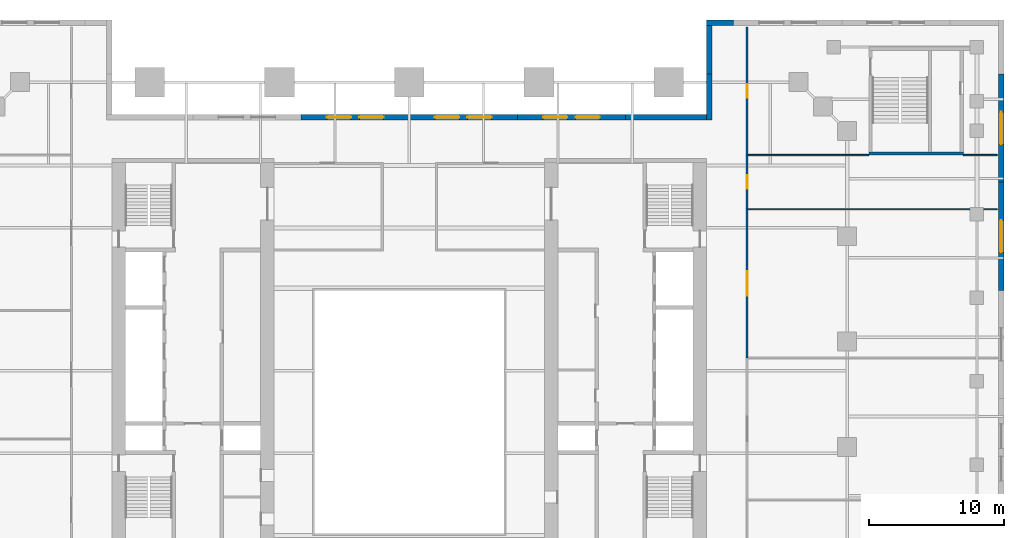
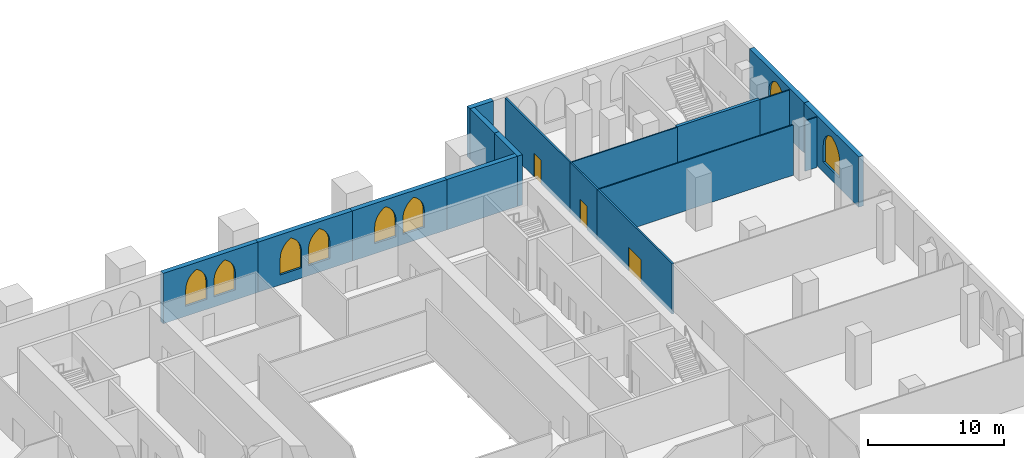
# One storey, part 16 of 19: 17 walls, 8 windows, 3 doors, 11 openings.
"""IFC4 building model written with IfcOpenShell, lengths in metres."""

from ifc_helpers import new_model, si_unit, direction, frame, frame_2d, origin, place, context, subcontext, project, spatial, polyline, rectangle, outline, extrude, material, layer, layer_set, type_object, element, fill, save


model = new_model("IFC4")

# Units and contexts
model_context = context("Model", 3, precision=1e-05, world=origin(), true_north=direction((0.0, 1.0)))
body_context = subcontext(model_context, "Body", "Model", "MODEL_VIEW")
ifc_project = project(units=[si_unit("LENGTHUNIT", "METRE"), si_unit("AREAUNIT", "SQUARE_METRE"), si_unit("VOLUMEUNIT", "CUBIC_METRE"), si_unit("PLANEANGLEUNIT", "RADIAN"), si_unit("MASSUNIT", "GRAM", prefix="KILO")], contexts=[model_context])

# Site, building, storey
site_placement = place(None, origin())
site = spatial("IfcSite", under=ifc_project, at=site_placement, CompositionType="ELEMENT")
building_placement = place(site_placement, origin())
building = spatial("IfcBuilding", under=site, at=building_placement, Name="Ogive Exchange Tower", CompositionType="ELEMENT")
storey_placement = place(building_placement, frame((0.0, 0.0, 24.0)))
storey = spatial("IfcBuildingStorey", under=building, at=storey_placement, Name="L04", CompositionType="ELEMENT", Elevation=24.0)

# Wall, opening, door
ifc_material_1 = material(Name="Fire partition EI 60 150")
ifc_layer_1 = layer(ifc_material_1, 0.14990234375)
ifc_layer_set_1 = layer_set([ifc_layer_1], Name="Fire partition EI 60 150")
wall_type_1 = type_object("IfcWallType", Name="Fire partition EI 60 150", PredefinedType="PARTITIONING", material=ifc_layer_set_1)
wall_1_placement = place(storey_placement, frame((25.0, 11.0, 0.0), z_axis=(0.0, 0.0, 1.0), x_axis=(0.0, 1.0, 0.0)))
wall_1 = element("IfcWall", 1, at=wall_1_placement, inside=storey, type_object=wall_type_1, Name="L04-PWL-063", PredefinedType="PARTITIONING", context=body_context, shape_type="SweptSolid", body=[
    extrude(rectangle(XDim=11.0, YDim=0.14990234375, at=frame_2d((5.5, 0.0))), origin(), (0.0, 0.0, 1.0), 4.5),
])
opening_1_placement = place(wall_1_placement, frame((4.60009765625, 0.0, 0.0)))
opening_1 = element("IfcOpeningElement", 2, at=opening_1_placement, cuts=wall_1, Name="Opening L04-I12", PredefinedType="OPENING", context=body_context, shape_type="SweptSolid", body=[
    extrude(rectangle(XDim=1.800048828125, YDim=2.10009765625, at=frame_2d((0.89990234375, 1.050048828125))), frame((0.0, 0.0849609375, 0.0), z_axis=(0.0, -1.0, 0.0), x_axis=(1.0, 0.0, 0.0)), (0.0, 0.0, 1.0), 0.169921875),
])
ifc_material_2 = material(Name="Fire door FD 30S 1800 x 2100")
door_type_1 = type_object("IfcDoorType", Name="Fire door FD 30S 1800 x 2100", OperationType="DOUBLE_DOOR_SINGLE_SWING", PredefinedType="DOOR", material=ifc_material_2)
door_1_placement = place(opening_1_placement, frame((1.800048828125, 0.0, 0.0), z_axis=(0.0, 0.0, 1.0), x_axis=(-1.0, 0.0, 0.0)))
door_1 = element("IfcDoor", 3, at=door_1_placement, inside=storey, type_object=door_type_1, Name="L04-IDR-012", ObjectType="DT4", OperationType="SINGLE_SWING_LEFT", OverallHeight=2.10009765625, OverallWidth=1.800048828125, PredefinedType="DOOR", context=body_context, shape_type="SweptSolid", body=[
    extrude(rectangle(XDim=1.800048828125, YDim=2.10009765625, at=frame_2d((0.89990234375, 1.050048828125))), frame((0.0, 0.02490234375, 0.0), z_axis=(0.0, -1.0, 0.0), x_axis=(1.0, 0.0, 0.0)), (0.0, 0.0, 1.0), 0.050048828125),
])
fill(opening_1, door_1)

wall_2_placement = place(storey_placement, frame((25.0, 22.0, 0.0), z_axis=(0.0, 0.0, 1.0), x_axis=(0.0, 1.0, 0.0)))
wall_2 = element("IfcWall", 4, at=wall_2_placement, inside=storey, type_object=wall_type_1, Name="L04-PWL-064", PredefinedType="PARTITIONING", context=body_context, shape_type="SweptSolid", body=[
    extrude(rectangle(XDim=4.0, YDim=0.14990234375, at=frame_2d((2.0, 0.0))), origin(), (0.0, 0.0, 1.0), 4.5),
])
opening_2_placement = place(wall_2_placement, frame((1.5, 0.0, 0.0)))
opening_2 = element("IfcOpeningElement", 5, at=opening_2_placement, cuts=wall_2, Name="Opening L04-I13", PredefinedType="OPENING", context=body_context, shape_type="SweptSolid", body=[
    extrude(rectangle(XDim=1.0, YDim=2.10009765625, at=frame_2d((0.5, 1.050048828125))), frame((0.0, 0.0849609375, 0.0), z_axis=(0.0, -1.0, 0.0), x_axis=(1.0, 0.0, 0.0)), (0.0, 0.0, 1.0), 0.169921875),
])
ifc_material_3 = material(Name="Fire door FD 30S 1000 x 2100")
door_type_2 = type_object("IfcDoorType", Name="Fire door FD 30S 1000 x 2100", OperationType="NOTDEFINED", PredefinedType="DOOR", material=ifc_material_3)
door_2_placement = place(opening_2_placement, frame((1.0, 0.0, 0.0), z_axis=(0.0, 0.0, 1.0), x_axis=(-1.0, 0.0, 0.0)))
door_2 = element("IfcDoor", 6, at=door_2_placement, inside=storey, type_object=door_type_2, Name="L04-IDR-013", ObjectType="DT3", OperationType="SINGLE_SWING_LEFT", OverallHeight=2.10009765625, OverallWidth=1.0, PredefinedType="DOOR", context=body_context, shape_type="SweptSolid", body=[
    extrude(rectangle(XDim=1.0, YDim=2.10009765625, at=frame_2d((0.5, 1.050048828125))), frame((0.0, 0.02490234375, 0.0), z_axis=(0.0, -1.0, 0.0), x_axis=(1.0, 0.0, 0.0)), (0.0, 0.0, 1.0), 0.050048828125),
])
fill(opening_2, door_2)

wall_3_placement = place(storey_placement, frame((25.0, 26.0, 0.0), z_axis=(0.0, 0.0, 1.0), x_axis=(0.0, 1.0, 0.0)))
wall_3 = element("IfcWall", 7, at=wall_3_placement, inside=storey, type_object=wall_type_1, Name="L04-PWL-065", PredefinedType="PARTITIONING", context=body_context, shape_type="SweptSolid", body=[
    extrude(rectangle(XDim=9.5, YDim=0.14990234375, at=frame_2d((4.75, 0.0))), origin(), (0.0, 0.0, 1.0), 4.5),
])
opening_3_placement = place(wall_3_placement, frame((4.25, 0.0, 0.0)))
opening_3 = element("IfcOpeningElement", 8, at=opening_3_placement, cuts=wall_3, Name="Opening L04-I02", PredefinedType="OPENING", context=body_context, shape_type="SweptSolid", body=[
    extrude(rectangle(XDim=1.0, YDim=2.10009765625, at=frame_2d((0.5, 1.050048828125))), frame((0.0, 0.0849609375, 0.0), z_axis=(0.0, -1.0, 0.0), x_axis=(1.0, 0.0, 0.0)), (0.0, 0.0, 1.0), 0.169921875),
])
door_3_placement = place(opening_3_placement, frame((1.0, 0.0, 0.0), z_axis=(0.0, 0.0, 1.0), x_axis=(-1.0, 0.0, 0.0)))
door_3 = element("IfcDoor", 9, at=door_3_placement, inside=storey, type_object=door_type_2, Name="L04-IDR-002", ObjectType="DT3", OperationType="SINGLE_SWING_RIGHT", OverallHeight=2.10009765625, OverallWidth=1.0, PredefinedType="DOOR", context=body_context, shape_type="SweptSolid", body=[
    extrude(rectangle(XDim=1.0, YDim=2.10009765625, at=frame_2d((0.5, 1.050048828125))), frame((0.0, 0.02490234375, 0.0), z_axis=(0.0, -1.0, 0.0), x_axis=(1.0, 0.0, 0.0)), (0.0, 0.0, 1.0), 0.050048828125),
])
fill(opening_3, door_3)

# Wall, opening, window
ifc_material_4 = material(Name="Precast concrete C40/50", Category="concrete")
ifc_layer_2 = layer(ifc_material_4, 0.39990234375)
ifc_layer_set_2 = layer_set([ifc_layer_2], Name="Limestone-faced wall 400")
wall_type_2 = type_object("IfcWallType", Name="Limestone-faced wall 400", PredefinedType="STANDARD", material=ifc_layer_set_2)
wall_4_placement = place(storey_placement, frame((43.800048828125, 16.0, 0.0), z_axis=(0.0, 0.0, 1.0), x_axis=(0.0, 1.0, 0.0)))
wall_4 = element("IfcWall", 10, at=wall_4_placement, inside=storey, type_object=wall_type_2, Name="Podium wall E10", PredefinedType="STANDARD", context=body_context, shape_type="SweptSolid", body=[
    extrude(rectangle(XDim=8.0, YDim=0.39990234375, at=frame_2d((4.0, 0.0))), origin(), (0.0, 0.0, 1.0), 4.5),
])
opening_4_placement = place(wall_4_placement, frame((2.800048828125, 0.0, 0.89990234375)))
opening_4 = element("IfcOpeningElement", 11, at=opening_4_placement, cuts=wall_4, Name="Opening WP300", PredefinedType="OPENING", context=body_context, shape_type="SweptSolid", body=[
    extrude(outline(polyline([(0.0, 0.0), (2.39990234375, 0.0), (2.39990234375, 1.5), (2.378173828125, 1.758056640625), (2.313232421875, 2.009033203125), (2.207275390625, 2.245361328125), (2.06298828125, 2.46044921875), (1.884765625, 2.6484375), (1.677490234375, 2.8037109375), (1.447021484375, 2.922119140625), (1.199951171875, 3.0), (0.952880859375, 2.922119140625), (0.722412109375, 2.8037109375), (0.51513671875, 2.6484375), (0.3369140625, 2.46044921875), (0.192626953125, 2.245361328125), (0.086669921875, 2.009033203125), (0.021728515625, 1.758056640625), (0.0, 1.5), (0.0, 0.0)])), frame((0.0, 0.2099609375, 0.0), z_axis=(0.0, -1.0, 0.0), x_axis=(1.0, 0.0, 0.0)), (0.0, 0.0, 1.0), 0.419921875),
])
ifc_material_5 = material(Name="Clear glass in bronze frame", Category="glass")
window_type_1 = type_object("IfcWindowType", Name="Podium lancet window 2400 x 3000", PartitioningType="DOUBLE_PANEL_VERTICAL", PredefinedType="WINDOW", material=ifc_material_5)
window_1_placement = place(opening_4_placement, origin())
window_1 = element("IfcWindow", 12, at=window_1_placement, inside=storey, type_object=window_type_1, Name="Podium window E10", OverallHeight=3.0, OverallWidth=2.39990234375, PartitioningType="DOUBLE_PANEL_VERTICAL", PredefinedType="WINDOW", context=body_context, shape_type="SweptSolid", body=[
    extrude(outline(polyline([(0.0, 0.0), (2.39990234375, 0.0), (2.39990234375, 1.5), (2.378173828125, 1.758056640625), (2.313232421875, 2.009033203125), (2.207275390625, 2.245361328125), (2.06298828125, 2.46044921875), (1.884765625, 2.6484375), (1.677490234375, 2.8037109375), (1.447021484375, 2.922119140625), (1.199951171875, 3.0), (0.952880859375, 2.922119140625), (0.722412109375, 2.8037109375), (0.51513671875, 2.6484375), (0.3369140625, 2.46044921875), (0.192626953125, 2.245361328125), (0.086669921875, 2.009033203125), (0.021728515625, 1.758056640625), (0.0, 1.5), (0.0, 0.0)])), frame((0.0, 0.030029296875, 0.0), z_axis=(0.0, -1.0, 0.0), x_axis=(1.0, 0.0, 0.0)), (0.0, 0.0, 1.0), 0.06005859375),
])
fill(opening_4, window_1)

wall_5_placement = place(storey_placement, frame((43.800048828125, 24.0, 0.0), z_axis=(0.0, 0.0, 1.0), x_axis=(0.0, 1.0, 0.0)))
wall_5 = element("IfcWall", 13, at=wall_5_placement, inside=storey, type_object=wall_type_2, Name="Podium wall E11", PredefinedType="STANDARD", context=body_context, shape_type="SweptSolid", body=[
    extrude(rectangle(XDim=8.0, YDim=0.39990234375, at=frame_2d((4.0, 0.0))), origin(), (0.0, 0.0, 1.0), 4.5),
])
opening_5_placement = place(wall_5_placement, frame((2.800048828125, 0.0, 0.89990234375)))
opening_5 = element("IfcOpeningElement", 14, at=opening_5_placement, cuts=wall_5, Name="Opening WP300", PredefinedType="OPENING", context=body_context, shape_type="SweptSolid", body=[
    extrude(outline(polyline([(0.0, 0.0), (2.39990234375, 0.0), (2.39990234375, 1.5), (2.378173828125, 1.758056640625), (2.313232421875, 2.009033203125), (2.207275390625, 2.245361328125), (2.06298828125, 2.46044921875), (1.884765625, 2.6484375), (1.677490234375, 2.8037109375), (1.447021484375, 2.922119140625), (1.199951171875, 3.0), (0.952880859375, 2.922119140625), (0.722412109375, 2.8037109375), (0.51513671875, 2.6484375), (0.3369140625, 2.46044921875), (0.192626953125, 2.245361328125), (0.086669921875, 2.009033203125), (0.021728515625, 1.758056640625), (0.0, 1.5), (0.0, 0.0)])), frame((0.0, 0.2099609375, 0.0), z_axis=(0.0, -1.0, 0.0), x_axis=(1.0, 0.0, 0.0)), (0.0, 0.0, 1.0), 0.419921875),
])
window_2_placement = place(opening_5_placement, origin())
window_2 = element("IfcWindow", 15, at=window_2_placement, inside=storey, type_object=window_type_1, Name="Podium window E11", OverallHeight=3.0, OverallWidth=2.39990234375, PartitioningType="DOUBLE_PANEL_VERTICAL", PredefinedType="WINDOW", context=body_context, shape_type="SweptSolid", body=[
    extrude(outline(polyline([(0.0, 0.0), (2.39990234375, 0.0), (2.39990234375, 1.5), (2.378173828125, 1.758056640625), (2.313232421875, 2.009033203125), (2.207275390625, 2.245361328125), (2.06298828125, 2.46044921875), (1.884765625, 2.6484375), (1.677490234375, 2.8037109375), (1.447021484375, 2.922119140625), (1.199951171875, 3.0), (0.952880859375, 2.922119140625), (0.722412109375, 2.8037109375), (0.51513671875, 2.6484375), (0.3369140625, 2.46044921875), (0.192626953125, 2.245361328125), (0.086669921875, 2.009033203125), (0.021728515625, 1.758056640625), (0.0, 1.5), (0.0, 0.0)])), frame((0.0, 0.030029296875, 0.0), z_axis=(0.0, -1.0, 0.0), x_axis=(1.0, 0.0, 0.0)), (0.0, 0.0, 1.0), 0.06005859375),
])
fill(opening_5, window_2)

# Walls
wall_6_placement = place(storey_placement, frame((24.0, 35.800048828125, 0.0), z_axis=(0.0, 0.0, 1.0), x_axis=(-1.0, 0.0, 0.0)))
element("IfcWall", 16, at=wall_6_placement, inside=storey, type_object=wall_type_2, Name="Podium wall N4", PredefinedType="STANDARD", context=body_context, shape_type="SweptSolid", body=[
    extrude(rectangle(XDim=2.0, YDim=0.39990234375, at=frame_2d((1.0, 0.0))), origin(), (0.0, 0.0, 1.0), 4.5),
])
wall_7_placement = place(storey_placement, frame((22.199951171875, 35.60009765625, 0.0), z_axis=(0.0, 0.0, 1.0), x_axis=(0.0, -1.0, 0.0)))
element("IfcWall", 17, at=wall_7_placement, inside=storey, type_object=wall_type_2, Name="Podium wall K1", PredefinedType="STANDARD", context=body_context, shape_type="SweptSolid", body=[
    extrude(rectangle(XDim=3.60009765625, YDim=0.39990234375, at=frame_2d((1.800048828125, 0.0))), origin(), (0.0, 0.0, 1.0), 4.5),
])
wall_8_placement = place(storey_placement, frame((22.199951171875, 32.0, 0.0), z_axis=(0.0, 0.0, 1.0), x_axis=(0.0, -1.0, 0.0)))
element("IfcWall", 18, at=wall_8_placement, inside=storey, type_object=wall_type_2, Name="Podium wall K2", PredefinedType="STANDARD", context=body_context, shape_type="SweptSolid", body=[
    extrude(rectangle(XDim=3.39990234375, YDim=0.39990234375, at=frame_2d((1.699951171875, 0.0))), origin(), (0.0, 0.0, 1.0), 4.5),
])
wall_9_placement = place(storey_placement, frame((22.0, 28.800048828125, 0.0), z_axis=(0.0, 0.0, 1.0), x_axis=(-1.0, 0.0, 0.0)))
element("IfcWall", 19, at=wall_9_placement, inside=storey, type_object=wall_type_2, Name="Podium wall B1", PredefinedType="STANDARD", context=body_context, shape_type="SweptSolid", body=[
    extrude(rectangle(XDim=6.0, YDim=0.39990234375, at=frame_2d((3.0, 0.0))), origin(), (0.0, 0.0, 1.0), 4.5),
])

# Wall, openings, windows
wall_10_placement = place(storey_placement, frame((16.0, 28.800048828125, 0.0), z_axis=(0.0, 0.0, 1.0), x_axis=(-1.0, 0.0, 0.0)))
wall_10 = element("IfcWall", 20, at=wall_10_placement, inside=storey, type_object=wall_type_2, Name="Podium wall B2", PredefinedType="STANDARD", context=body_context, shape_type="SweptSolid", body=[
    extrude(rectangle(XDim=8.0, YDim=0.39990234375, at=frame_2d((4.0, 0.0))), origin(), (0.0, 0.0, 1.0), 4.5),
])
opening_6_placement = place(wall_10_placement, frame((1.89990234375, 0.0, 0.89990234375)))
opening_6 = element("IfcOpeningElement", 21, at=opening_6_placement, cuts=wall_10, Name="Opening WQ300", PredefinedType="OPENING", context=body_context, shape_type="SweptSolid", body=[
    extrude(outline(polyline([(0.0, 0.0), (1.800048828125, 0.0), (1.800048828125, 1.5), (1.78466796875, 1.72900390625), (1.73828125, 1.953857421875), (1.662353515625, 2.17041015625), (1.557861328125, 2.374755859375), (1.4267578125, 2.56298828125), (1.271484375, 2.73193359375), (1.0947265625, 2.878662109375), (0.89990234375, 3.0), (0.705322265625, 2.878662109375), (0.528564453125, 2.73193359375), (0.373291015625, 2.56298828125), (0.2421875, 2.374755859375), (0.1376953125, 2.17041015625), (0.061767578125, 1.953857421875), (0.015380859375, 1.72900390625), (0.0, 1.5), (0.0, 0.0)])), frame((0.0, 0.2099609375, 0.0), z_axis=(0.0, -1.0, 0.0), x_axis=(1.0, 0.0, 0.0)), (0.0, 0.0, 1.0), 0.419921875),
])
opening_7_placement = place(wall_10_placement, frame((4.300048828125, 0.0, 0.89990234375)))
opening_7 = element("IfcOpeningElement", 22, at=opening_7_placement, cuts=wall_10, Name="Opening WQ300", PredefinedType="OPENING", context=body_context, shape_type="SweptSolid", body=[
    extrude(outline(polyline([(0.0, 0.0), (1.800048828125, 0.0), (1.800048828125, 1.5), (1.78466796875, 1.72900390625), (1.73828125, 1.953857421875), (1.662353515625, 2.17041015625), (1.557861328125, 2.374755859375), (1.4267578125, 2.56298828125), (1.271484375, 2.73193359375), (1.0947265625, 2.878662109375), (0.89990234375, 3.0), (0.705322265625, 2.878662109375), (0.528564453125, 2.73193359375), (0.373291015625, 2.56298828125), (0.2421875, 2.374755859375), (0.1376953125, 2.17041015625), (0.061767578125, 1.953857421875), (0.015380859375, 1.72900390625), (0.0, 1.5), (0.0, 0.0)])), frame((0.0, 0.2099609375, 0.0), z_axis=(0.0, -1.0, 0.0), x_axis=(1.0, 0.0, 0.0)), (0.0, 0.0, 1.0), 0.419921875),
])
window_type_2 = type_object("IfcWindowType", Name="Podium paired lancet 1800 x 3000", PartitioningType="DOUBLE_PANEL_VERTICAL", PredefinedType="WINDOW", material=ifc_material_5)
window_3_placement = place(opening_6_placement, origin())
window_3 = element("IfcWindow", 23, at=window_3_placement, inside=storey, type_object=window_type_2, Name="Podium paired lancet B2.1", OverallHeight=3.0, OverallWidth=1.800048828125, PartitioningType="DOUBLE_PANEL_VERTICAL", PredefinedType="WINDOW", context=body_context, shape_type="SweptSolid", body=[
    extrude(outline(polyline([(0.0, 0.0), (1.800048828125, 0.0), (1.800048828125, 1.5), (1.78466796875, 1.72900390625), (1.73828125, 1.953857421875), (1.662353515625, 2.17041015625), (1.557861328125, 2.374755859375), (1.4267578125, 2.56298828125), (1.271484375, 2.73193359375), (1.0947265625, 2.878662109375), (0.89990234375, 3.0), (0.705322265625, 2.878662109375), (0.528564453125, 2.73193359375), (0.373291015625, 2.56298828125), (0.2421875, 2.374755859375), (0.1376953125, 2.17041015625), (0.061767578125, 1.953857421875), (0.015380859375, 1.72900390625), (0.0, 1.5), (0.0, 0.0)])), frame((0.0, 0.030029296875, 0.0), z_axis=(0.0, -1.0, 0.0), x_axis=(1.0, 0.0, 0.0)), (0.0, 0.0, 1.0), 0.06005859375),
])
fill(opening_6, window_3)
window_4_placement = place(opening_7_placement, origin())
window_4 = element("IfcWindow", 24, at=window_4_placement, inside=storey, type_object=window_type_2, Name="Podium paired lancet B2.2", OverallHeight=3.0, OverallWidth=1.800048828125, PartitioningType="DOUBLE_PANEL_VERTICAL", PredefinedType="WINDOW", context=body_context, shape_type="SweptSolid", body=[
    extrude(outline(polyline([(0.0, 0.0), (1.800048828125, 0.0), (1.800048828125, 1.5), (1.78466796875, 1.72900390625), (1.73828125, 1.953857421875), (1.662353515625, 2.17041015625), (1.557861328125, 2.374755859375), (1.4267578125, 2.56298828125), (1.271484375, 2.73193359375), (1.0947265625, 2.878662109375), (0.89990234375, 3.0), (0.705322265625, 2.878662109375), (0.528564453125, 2.73193359375), (0.373291015625, 2.56298828125), (0.2421875, 2.374755859375), (0.1376953125, 2.17041015625), (0.061767578125, 1.953857421875), (0.015380859375, 1.72900390625), (0.0, 1.5), (0.0, 0.0)])), frame((0.0, 0.030029296875, 0.0), z_axis=(0.0, -1.0, 0.0), x_axis=(1.0, 0.0, 0.0)), (0.0, 0.0, 1.0), 0.06005859375),
])
fill(opening_7, window_4)

wall_11_placement = place(storey_placement, frame((8.0, 28.800048828125, 0.0), z_axis=(0.0, 0.0, 1.0), x_axis=(-1.0, 0.0, 0.0)))
wall_11 = element("IfcWall", 25, at=wall_11_placement, inside=storey, type_object=wall_type_2, Name="Podium wall B3", PredefinedType="STANDARD", context=body_context, shape_type="SweptSolid", body=[
    extrude(rectangle(XDim=8.0, YDim=0.39990234375, at=frame_2d((4.0, 0.0))), origin(), (0.0, 0.0, 1.0), 4.5),
])
opening_8_placement = place(wall_11_placement, frame((1.89990234375, 0.0, 0.89990234375)))
opening_8 = element("IfcOpeningElement", 26, at=opening_8_placement, cuts=wall_11, Name="Opening WQ300", PredefinedType="OPENING", context=body_context, shape_type="SweptSolid", body=[
    extrude(outline(polyline([(0.0, 0.0), (1.800048828125, 0.0), (1.800048828125, 1.5), (1.78466796875, 1.72900390625), (1.73828125, 1.953857421875), (1.662353515625, 2.17041015625), (1.557861328125, 2.374755859375), (1.4267578125, 2.56298828125), (1.271484375, 2.73193359375), (1.0947265625, 2.878662109375), (0.89990234375, 3.0), (0.705322265625, 2.878662109375), (0.528564453125, 2.73193359375), (0.373291015625, 2.56298828125), (0.2421875, 2.374755859375), (0.1376953125, 2.17041015625), (0.061767578125, 1.953857421875), (0.015380859375, 1.72900390625), (0.0, 1.5), (0.0, 0.0)])), frame((0.0, 0.2099609375, 0.0), z_axis=(0.0, -1.0, 0.0), x_axis=(1.0, 0.0, 0.0)), (0.0, 0.0, 1.0), 0.419921875),
])
opening_9_placement = place(wall_11_placement, frame((4.300048828125, 0.0, 0.89990234375)))
opening_9 = element("IfcOpeningElement", 27, at=opening_9_placement, cuts=wall_11, Name="Opening WQ300", PredefinedType="OPENING", context=body_context, shape_type="SweptSolid", body=[
    extrude(outline(polyline([(0.0, 0.0), (1.800048828125, 0.0), (1.800048828125, 1.5), (1.78466796875, 1.72900390625), (1.73828125, 1.953857421875), (1.662353515625, 2.17041015625), (1.557861328125, 2.374755859375), (1.4267578125, 2.56298828125), (1.271484375, 2.73193359375), (1.0947265625, 2.878662109375), (0.89990234375, 3.0), (0.705322265625, 2.878662109375), (0.528564453125, 2.73193359375), (0.373291015625, 2.56298828125), (0.2421875, 2.374755859375), (0.1376953125, 2.17041015625), (0.061767578125, 1.953857421875), (0.015380859375, 1.72900390625), (0.0, 1.5), (0.0, 0.0)])), frame((0.0, 0.2099609375, 0.0), z_axis=(0.0, -1.0, 0.0), x_axis=(1.0, 0.0, 0.0)), (0.0, 0.0, 1.0), 0.419921875),
])
window_5_placement = place(opening_8_placement, origin())
window_5 = element("IfcWindow", 28, at=window_5_placement, inside=storey, type_object=window_type_2, Name="Podium paired lancet B3.1", OverallHeight=3.0, OverallWidth=1.800048828125, PartitioningType="DOUBLE_PANEL_VERTICAL", PredefinedType="WINDOW", context=body_context, shape_type="SweptSolid", body=[
    extrude(outline(polyline([(0.0, 0.0), (1.800048828125, 0.0), (1.800048828125, 1.5), (1.78466796875, 1.72900390625), (1.73828125, 1.953857421875), (1.662353515625, 2.17041015625), (1.557861328125, 2.374755859375), (1.4267578125, 2.56298828125), (1.271484375, 2.73193359375), (1.0947265625, 2.878662109375), (0.89990234375, 3.0), (0.705322265625, 2.878662109375), (0.528564453125, 2.73193359375), (0.373291015625, 2.56298828125), (0.2421875, 2.374755859375), (0.1376953125, 2.17041015625), (0.061767578125, 1.953857421875), (0.015380859375, 1.72900390625), (0.0, 1.5), (0.0, 0.0)])), frame((0.0, 0.030029296875, 0.0), z_axis=(0.0, -1.0, 0.0), x_axis=(1.0, 0.0, 0.0)), (0.0, 0.0, 1.0), 0.06005859375),
])
fill(opening_8, window_5)
window_6_placement = place(opening_9_placement, origin())
window_6 = element("IfcWindow", 29, at=window_6_placement, inside=storey, type_object=window_type_2, Name="Podium paired lancet B3.2", OverallHeight=3.0, OverallWidth=1.800048828125, PartitioningType="DOUBLE_PANEL_VERTICAL", PredefinedType="WINDOW", context=body_context, shape_type="SweptSolid", body=[
    extrude(outline(polyline([(0.0, 0.0), (1.800048828125, 0.0), (1.800048828125, 1.5), (1.78466796875, 1.72900390625), (1.73828125, 1.953857421875), (1.662353515625, 2.17041015625), (1.557861328125, 2.374755859375), (1.4267578125, 2.56298828125), (1.271484375, 2.73193359375), (1.0947265625, 2.878662109375), (0.89990234375, 3.0), (0.705322265625, 2.878662109375), (0.528564453125, 2.73193359375), (0.373291015625, 2.56298828125), (0.2421875, 2.374755859375), (0.1376953125, 2.17041015625), (0.061767578125, 1.953857421875), (0.015380859375, 1.72900390625), (0.0, 1.5), (0.0, 0.0)])), frame((0.0, 0.030029296875, 0.0), z_axis=(0.0, -1.0, 0.0), x_axis=(1.0, 0.0, 0.0)), (0.0, 0.0, 1.0), 0.06005859375),
])
fill(opening_9, window_6)

wall_12_placement = place(storey_placement, frame((0.0, 28.800048828125, 0.0), z_axis=(0.0, 0.0, 1.0), x_axis=(-1.0, 0.0, 0.0)))
wall_12 = element("IfcWall", 30, at=wall_12_placement, inside=storey, type_object=wall_type_2, Name="Podium wall B4", PredefinedType="STANDARD", context=body_context, shape_type="SweptSolid", body=[
    extrude(rectangle(XDim=8.0, YDim=0.39990234375, at=frame_2d((4.0, 0.0))), origin(), (0.0, 0.0, 1.0), 4.5),
])
opening_10_placement = place(wall_12_placement, frame((1.89990234375, 0.0, 0.89990234375)))
opening_10 = element("IfcOpeningElement", 31, at=opening_10_placement, cuts=wall_12, Name="Opening WQ300", PredefinedType="OPENING", context=body_context, shape_type="SweptSolid", body=[
    extrude(outline(polyline([(0.0, 0.0), (1.800048828125, 0.0), (1.800048828125, 1.5), (1.78466796875, 1.72900390625), (1.73828125, 1.953857421875), (1.662353515625, 2.17041015625), (1.557861328125, 2.374755859375), (1.4267578125, 2.56298828125), (1.271484375, 2.73193359375), (1.0947265625, 2.878662109375), (0.89990234375, 3.0), (0.705322265625, 2.878662109375), (0.528564453125, 2.73193359375), (0.373291015625, 2.56298828125), (0.2421875, 2.374755859375), (0.1376953125, 2.17041015625), (0.061767578125, 1.953857421875), (0.015380859375, 1.72900390625), (0.0, 1.5), (0.0, 0.0)])), frame((0.0, 0.2099609375, 0.0), z_axis=(0.0, -1.0, 0.0), x_axis=(1.0, 0.0, 0.0)), (0.0, 0.0, 1.0), 0.419921875),
])
opening_11_placement = place(wall_12_placement, frame((4.300048828125, 0.0, 0.89990234375)))
opening_11 = element("IfcOpeningElement", 32, at=opening_11_placement, cuts=wall_12, Name="Opening WQ300", PredefinedType="OPENING", context=body_context, shape_type="SweptSolid", body=[
    extrude(outline(polyline([(0.0, 0.0), (1.800048828125, 0.0), (1.800048828125, 1.5), (1.78466796875, 1.72900390625), (1.73828125, 1.953857421875), (1.662353515625, 2.17041015625), (1.557861328125, 2.374755859375), (1.4267578125, 2.56298828125), (1.271484375, 2.73193359375), (1.0947265625, 2.878662109375), (0.89990234375, 3.0), (0.705322265625, 2.878662109375), (0.528564453125, 2.73193359375), (0.373291015625, 2.56298828125), (0.2421875, 2.374755859375), (0.1376953125, 2.17041015625), (0.061767578125, 1.953857421875), (0.015380859375, 1.72900390625), (0.0, 1.5), (0.0, 0.0)])), frame((0.0, 0.2099609375, 0.0), z_axis=(0.0, -1.0, 0.0), x_axis=(1.0, 0.0, 0.0)), (0.0, 0.0, 1.0), 0.419921875),
])
window_7_placement = place(opening_10_placement, origin())
window_7 = element("IfcWindow", 33, at=window_7_placement, inside=storey, type_object=window_type_2, Name="Podium paired lancet B4.1", OverallHeight=3.0, OverallWidth=1.800048828125, PartitioningType="DOUBLE_PANEL_VERTICAL", PredefinedType="WINDOW", context=body_context, shape_type="SweptSolid", body=[
    extrude(outline(polyline([(0.0, 0.0), (1.800048828125, 0.0), (1.800048828125, 1.5), (1.78466796875, 1.72900390625), (1.73828125, 1.953857421875), (1.662353515625, 2.17041015625), (1.557861328125, 2.374755859375), (1.4267578125, 2.56298828125), (1.271484375, 2.73193359375), (1.0947265625, 2.878662109375), (0.89990234375, 3.0), (0.705322265625, 2.878662109375), (0.528564453125, 2.73193359375), (0.373291015625, 2.56298828125), (0.2421875, 2.374755859375), (0.1376953125, 2.17041015625), (0.061767578125, 1.953857421875), (0.015380859375, 1.72900390625), (0.0, 1.5), (0.0, 0.0)])), frame((0.0, 0.030029296875, 0.0), z_axis=(0.0, -1.0, 0.0), x_axis=(1.0, 0.0, 0.0)), (0.0, 0.0, 1.0), 0.06005859375),
])
fill(opening_10, window_7)
window_8_placement = place(opening_11_placement, origin())
window_8 = element("IfcWindow", 34, at=window_8_placement, inside=storey, type_object=window_type_2, Name="Podium paired lancet B4.2", OverallHeight=3.0, OverallWidth=1.800048828125, PartitioningType="DOUBLE_PANEL_VERTICAL", PredefinedType="WINDOW", context=body_context, shape_type="SweptSolid", body=[
    extrude(outline(polyline([(0.0, 0.0), (1.800048828125, 0.0), (1.800048828125, 1.5), (1.78466796875, 1.72900390625), (1.73828125, 1.953857421875), (1.662353515625, 2.17041015625), (1.557861328125, 2.374755859375), (1.4267578125, 2.56298828125), (1.271484375, 2.73193359375), (1.0947265625, 2.878662109375), (0.89990234375, 3.0), (0.705322265625, 2.878662109375), (0.528564453125, 2.73193359375), (0.373291015625, 2.56298828125), (0.2421875, 2.374755859375), (0.1376953125, 2.17041015625), (0.061767578125, 1.953857421875), (0.015380859375, 1.72900390625), (0.0, 1.5), (0.0, 0.0)])), frame((0.0, 0.030029296875, 0.0), z_axis=(0.0, -1.0, 0.0), x_axis=(1.0, 0.0, 0.0)), (0.0, 0.0, 1.0), 0.06005859375),
])
fill(opening_11, window_8)

# Walls
ifc_material_6 = material(Name="Partition 100 gypsum")
ifc_layer_3 = layer(ifc_material_6, 0.10009765625)
ifc_layer_set_3 = layer_set([ifc_layer_3], Name="Partition 100 gypsum")
wall_type_3 = type_object("IfcWallType", Name="Partition 100 gypsum", PredefinedType="PARTITIONING", material=ifc_layer_set_3)
wall_13_placement = place(storey_placement, frame((25.074951171875, 22.0, 0.0), z_axis=(0.0, 0.0, 1.0), x_axis=(1.0, 0.0, 0.0)))
element("IfcWall", 35, at=wall_13_placement, inside=storey, type_object=wall_type_3, Name="L04-PWL-032", PredefinedType="PARTITIONING", context=body_context, shape_type="SweptSolid", body=[
    extrude(rectangle(XDim=16.425048828125, YDim=0.10009765625, at=frame_2d((8.21240234375, 0.0))), origin(), (0.0, 0.0, 1.0), 4.5),
])
wall_14_placement = place(storey_placement, frame((42.5, 22.0, 0.0), z_axis=(0.0, 0.0, 1.0), x_axis=(1.0, 0.0, 0.0)))
element("IfcWall", 36, at=wall_14_placement, inside=storey, type_object=wall_type_3, Name="L04-PWL-033", PredefinedType="PARTITIONING", context=body_context, shape_type="SweptSolid", body=[
    extrude(rectangle(XDim=1.0, YDim=0.10009765625, at=frame_2d((0.5, 0.0))), origin(), (0.0, 0.0, 1.0), 4.5),
])
wall_15_placement = place(storey_placement, frame((25.074951171875, 26.0, 0.0), z_axis=(0.0, 0.0, 1.0), x_axis=(1.0, 0.0, 0.0)))
element("IfcWall", 37, at=wall_15_placement, inside=storey, type_object=wall_type_3, Name="L04-PWL-038", PredefinedType="PARTITIONING", context=body_context, shape_type="SweptSolid", body=[
    extrude(rectangle(XDim=8.925048828125, YDim=0.10009765625, at=frame_2d((4.46240234375, 0.0))), origin(), (0.0, 0.0, 1.0), 4.5),
])
wall_16_placement = place(storey_placement, frame((41.0, 26.0, 0.0), z_axis=(0.0, 0.0, 1.0), x_axis=(1.0, 0.0, 0.0)))
element("IfcWall", 38, at=wall_16_placement, inside=storey, type_object=wall_type_3, Name="L04-PWL-039", PredefinedType="PARTITIONING", context=body_context, shape_type="SweptSolid", body=[
    extrude(rectangle(XDim=2.5, YDim=0.10009765625, at=frame_2d((1.25, 0.0))), origin(), (0.0, 0.0, 1.0), 4.5),
])
ifc_material_7 = material(Name="Concrete C70/85", Category="concrete")
ifc_layer_4 = layer(ifc_material_7, 0.25)
ifc_layer_set_4 = layer_set([ifc_layer_4], Name="RC core wall 250 C70/85")
wall_type_4 = type_object("IfcWallType", Name="RC core wall 250 C70/85", PredefinedType="SHEAR", material=ifc_layer_set_4)
wall_17_placement = place(storey_placement, frame((34.0, 26.125, 0.0), z_axis=(0.0, 0.0, 1.0), x_axis=(1.0, 0.0, 0.0)))
element("IfcWall", 39, at=wall_17_placement, inside=storey, type_object=wall_type_4, Name="PS4 south wall", PredefinedType="SHEAR", context=body_context, shape_type="SweptSolid", body=[
    extrude(rectangle(XDim=7.0, YDim=0.25, at=frame_2d((3.5, 0.0))), origin(), (0.0, 0.0, 1.0), 4.5),
])

save(model, "model.ifc")
